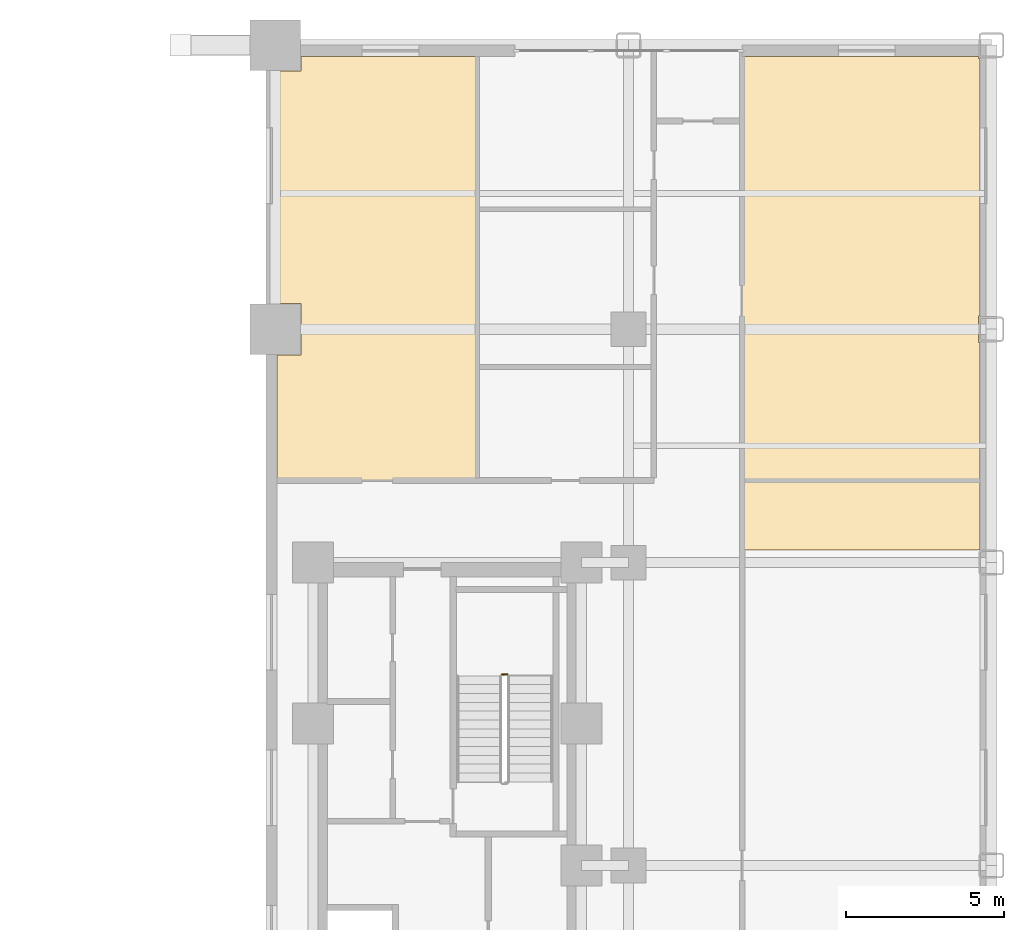
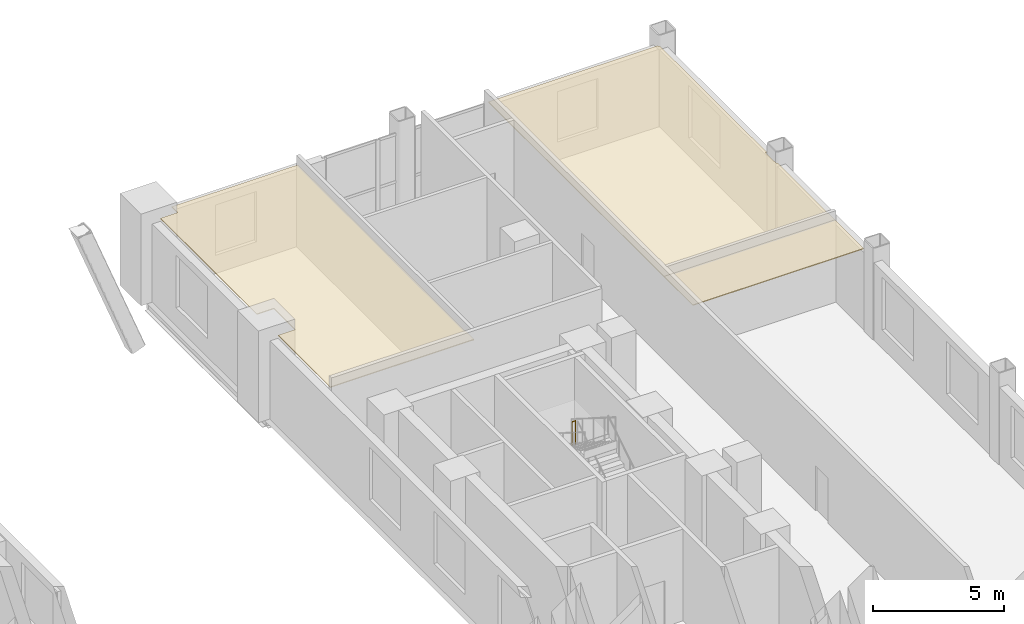
# One storey, part 15 of 15: 3 coverings, 1 railing.
"""IFC4 building model written with IfcOpenShell, lengths in metres."""

from ifc_helpers import new_model, si_unit, direction, frame, origin, origin_2d, place, context, subcontext, project, spatial, polyline, circle, outline, extrude, material, layer, layer_set, type_object, element, save


model = new_model("IFC4")

# Units and contexts
model_context = context("Model", 3, precision=1e-05, world=origin(), true_north=direction((0.0, 1.0)))
body_context = subcontext(model_context, "Body", "Model", "MODEL_VIEW")
ifc_project = project(units=[si_unit("LENGTHUNIT", "METRE"), si_unit("AREAUNIT", "SQUARE_METRE"), si_unit("VOLUMEUNIT", "CUBIC_METRE"), si_unit("PLANEANGLEUNIT", "RADIAN"), si_unit("MASSUNIT", "GRAM", prefix="KILO")], contexts=[model_context])

# Site, building, storey
site_placement = place(None, origin())
site = spatial("IfcSite", under=ifc_project, at=site_placement, CompositionType="ELEMENT")
building_placement = place(site_placement, origin())
building = spatial("IfcBuilding", under=site, at=building_placement, Name="Nuvemarco Arch Tower", CompositionType="ELEMENT")
storey_placement = place(building_placement, frame((0.0, 0.0, 9.199951171875)))
storey = spatial("IfcBuildingStorey", under=building, at=storey_placement, Name="L02", CompositionType="ELEMENT", Elevation=9.199951171875)

# Coverings
ifc_material_1 = material(Name="Mineral acoustic ceiling tile")
ifc_layer = layer(ifc_material_1, 0.0400390625, Name="COV-ACOUSTIC-CLG")
ifc_layer_set = layer_set([ifc_layer], Name="Mineral acoustic ceiling tile")
covering_type = type_object("IfcCoveringType", Name="COV-ACOUSTIC-CLG", PredefinedType="CEILING", material=ifc_layer_set)
covering_1_placement = place(storey_placement, frame((0.0, 0.0, 3.760009765625)))
element("IfcCovering", 1, at=covering_1_placement, inside=storey, type_object=covering_type, Name="L02 suspended acoustic ceiling 2", PredefinedType="CEILING", context=body_context, shape_type="SweptSolid", body=[
    extrude(outline(polyline([(30.139892578125, 10.014892578125), (30.0849609375, 10.014892578125), (30.0849609375, 10.0), (22.60009765625, 10.0), (22.60009765625, 12.199951171875), (30.139892578125, 12.199951171875), (30.139892578125, 10.014892578125)])), origin(), (0.0, 0.0, 1.0), 0.0400390625),
])
covering_2_placement = place(storey_placement, frame((0.0, 0.0, 3.760009765625)))
element("IfcCovering", 2, at=covering_2_placement, inside=storey, type_object=covering_type, Name="L02 suspended acoustic ceiling 4", PredefinedType="CEILING", context=body_context, shape_type="SweptSolid", body=[
    extrude(outline(polyline([(30.0849609375, 17.4150390625), (30.0849609375, 16.5849609375), (30.139892578125, 16.5849609375), (30.139892578125, 12.199951171875), (22.60009765625, 12.199951171875), (22.60009765625, 23.60009765625), (22.60009765625, 25.639892578125), (30.0849609375, 25.639892578125), (30.0849609375, 25.5849609375), (30.139892578125, 25.5849609375), (30.139892578125, 17.4150390625), (30.0849609375, 17.4150390625)])), origin(), (0.0, 0.0, 1.0), 0.0400390625),
])
covering_3_placement = place(storey_placement, frame((0.0, 0.0, 3.760009765625)))
element("IfcCovering", 3, at=covering_3_placement, inside=storey, type_object=covering_type, Name="L02 suspended acoustic ceiling 6", PredefinedType="CEILING", context=body_context, shape_type="SweptSolid", body=[
    extrude(outline(polyline([(8.614990234375, 25.18505859375), (8.614990234375, 25.639892578125), (14.199951171875, 25.639892578125), (14.199951171875, 20.800048828125), (14.199951171875, 15.800048828125), (14.199951171875, 12.199951171875), (7.860107421875, 12.199951171875), (7.860107421875, 16.18505859375), (8.614990234375, 16.18505859375), (8.614990234375, 17.81494140625), (7.860107421875, 17.81494140625), (7.860107421875, 25.18505859375), (8.614990234375, 25.18505859375)])), origin(), (0.0, 0.0, 1.0), 0.0400390625),
])

# Railing
ifc_material_2 = material(Name="Painted balustrade steel S355", Category="steel")
railing_type = type_object("IfcRailingType", Name="RL-STAIR-GUARD", PredefinedType="GUARDRAIL", material=ifc_material_2)
railing_placement = place(storey_placement, frame((15.14990234375, 6.06005859375, 2.300048828125)))
element("IfcRailing", 4, at=railing_placement, inside=storey, type_object=railing_type, Name="L02 ST-2 stair guard 2", PredefinedType="GUARDRAIL", context=body_context, shape_type="SweptSolid", body=[
    extrude(circle(Radius=0.02392578125, at=origin_2d()), frame((0.0, 0.0, 1.09619140625), z_axis=(-1.0, 0.0, 0.0), x_axis=(0.0, -1.0, 0.0)), (0.0, 0.0, 1.0), 0.159912109375),
    extrude(circle(Radius=0.02099609375, at=origin_2d()), origin(), (0.0, 0.0, 1.0), 1.072021484375),
    extrude(circle(Radius=0.02099609375, at=origin_2d()), frame((-0.159912109375, 0.0, 0.0)), (0.0, 0.0, 1.0), 1.072021484375),
])

save(model, "model.ifc")
